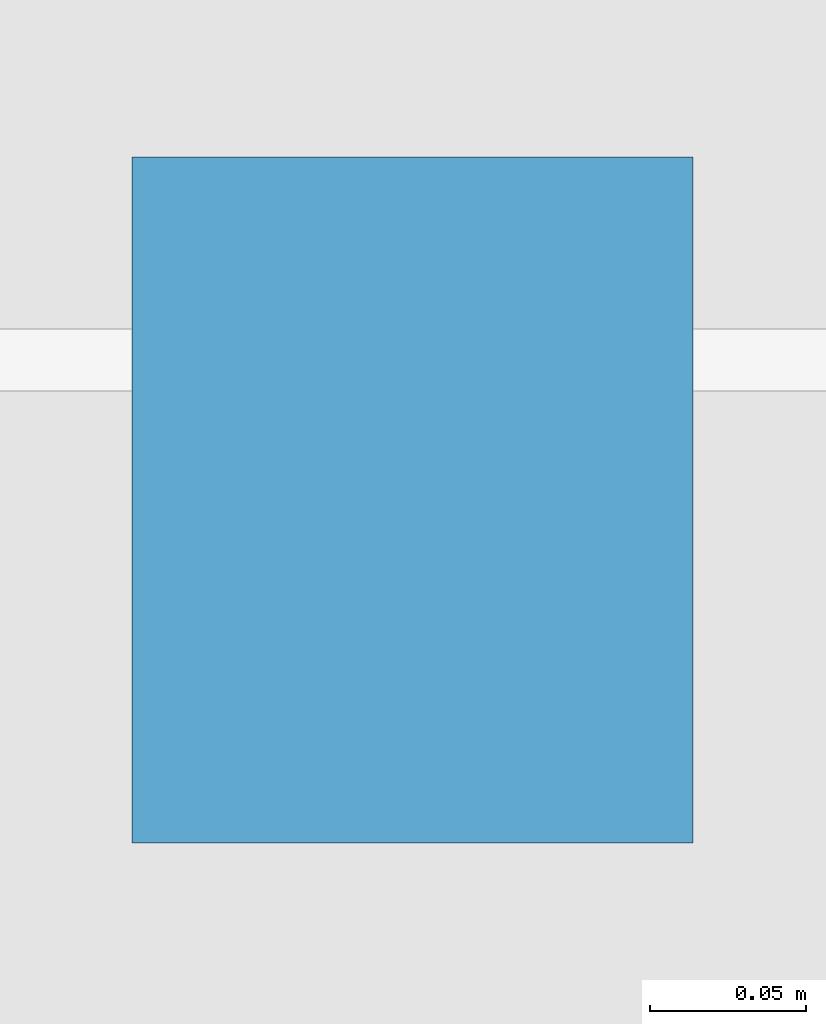
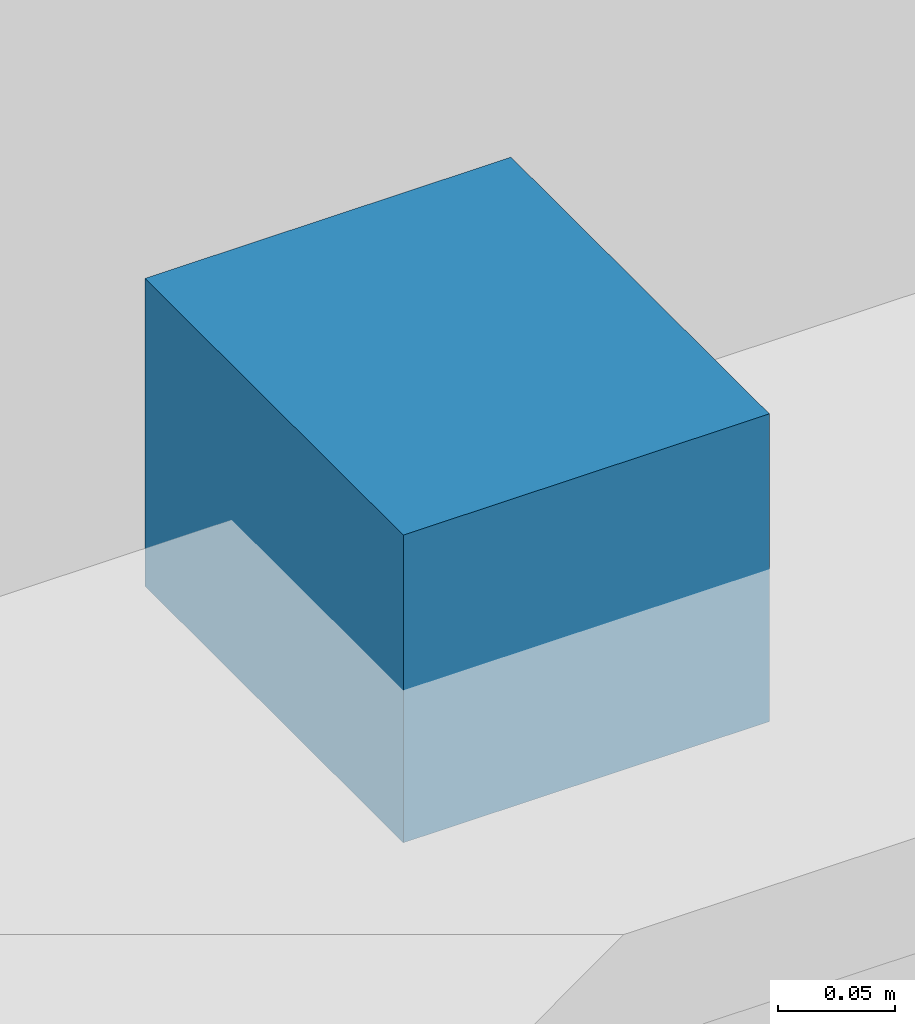
# One storey, part 55 of 73: 1 discrete accessory.
"""IFC4 building model written with IfcOpenShell, lengths in metres."""

from ifc_helpers import new_model, si_unit, direction, frame, origin, origin_2d, place, context, subcontext, project, spatial, rectangle, extrude, material, type_object, element, save


model = new_model("IFC4")

# Units and contexts
model_context = context("Model", 3, precision=1e-05, world=origin(), true_north=direction((0.0, 1.0)))
body_context = subcontext(model_context, "Body", "Model", "MODEL_VIEW")
ifc_project = project(units=[si_unit("LENGTHUNIT", "METRE"), si_unit("AREAUNIT", "SQUARE_METRE"), si_unit("VOLUMEUNIT", "CUBIC_METRE"), si_unit("PLANEANGLEUNIT", "RADIAN"), si_unit("MASSUNIT", "GRAM", prefix="KILO")], contexts=[model_context])

# Site, building, storey
site_placement = place(None, origin())
site = spatial("IfcSite", under=ifc_project, at=site_placement, CompositionType="ELEMENT")
building_placement = place(site_placement, origin())
building = spatial("IfcBuilding", under=site, at=building_placement, Name="Suanplinth Sawtooth Commons", CompositionType="ELEMENT")
storey_placement = place(building_placement, frame((0.0, 0.0, 21.89990234375)))
storey = spatial("IfcBuildingStorey", under=building, at=storey_placement, Name="L06", CompositionType="ELEMENT", Elevation=21.89990234375)

# Discrete accessory
ifc_material = material(Name="Stainless steel Grade 316", Category="steel")
discrete_accessory_type = type_object("IfcDiscreteAccessoryType", Name="ACC-01", PredefinedType="BRACKET", material=ifc_material)
discrete_accessory_placement = place(storey_placement, frame((25.199951171875, -1.699951171875, 2.89990234375), z_axis=(0.0, 0.0, 1.0), x_axis=(1.0, 0.0, 0.0)))
element("IfcDiscreteAccessory", 1, at=discrete_accessory_placement, inside=storey, type_object=discrete_accessory_type, Name="Louvre Fixing Bracket L06-D-1", PredefinedType="BRACKET", context=body_context, shape_type="SweptSolid", body=[
    extrude(rectangle(XDim=0.179931640625, YDim=0.219970703125, at=origin_2d()), origin(), (0.0, 0.0, 1.0), 0.159912109375),
])

save(model, "model.ifc")
